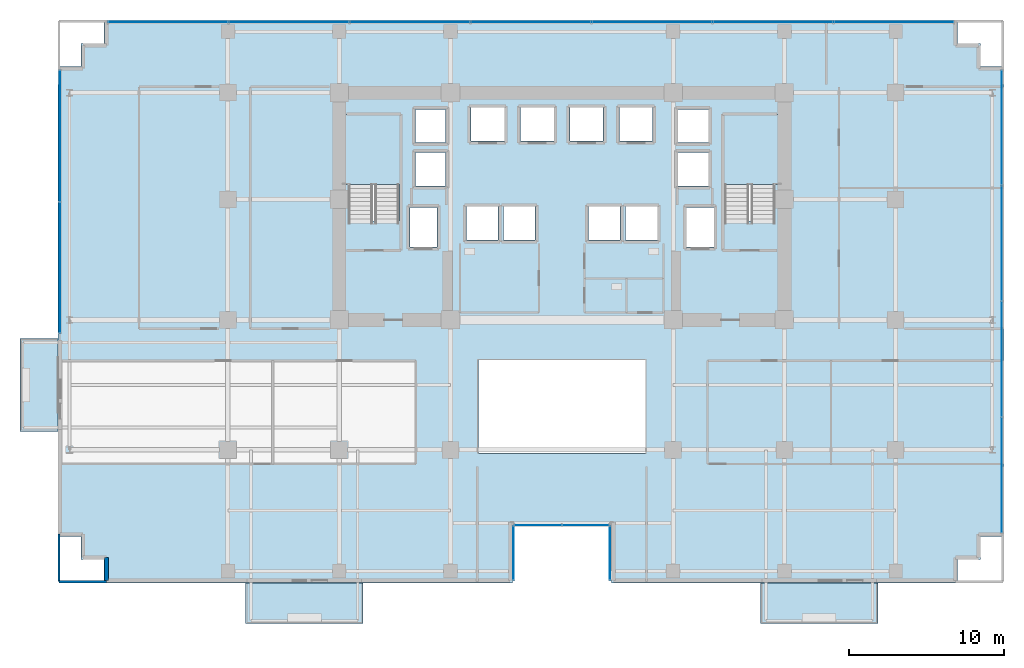
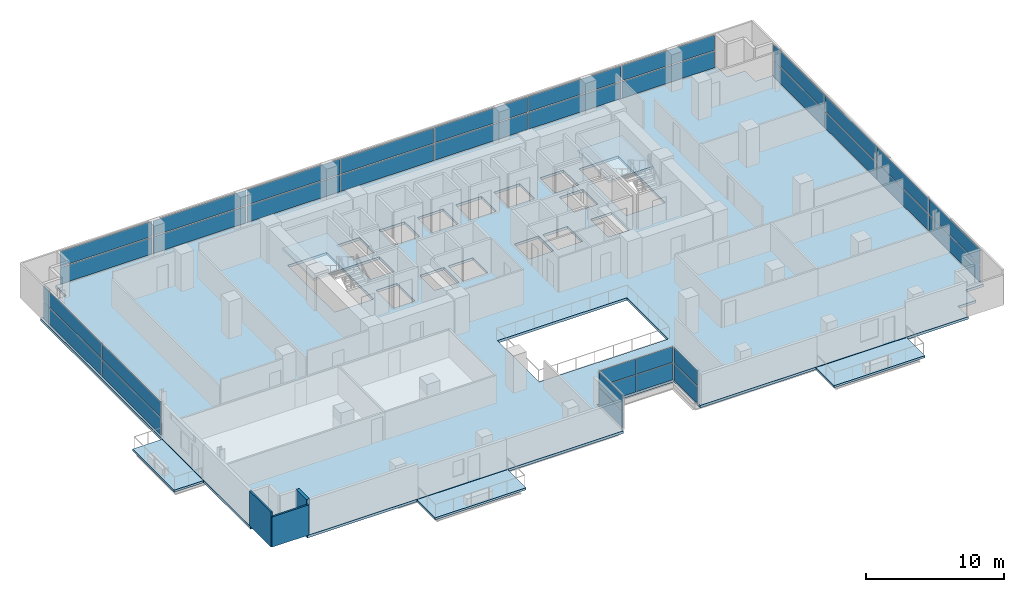
# One storey, part 22 of 30: 34 plates, 6 slabs, 3 walls, 8 elements without a shape of their own.
"""IFC4 building model written with IfcOpenShell, lengths in metres."""

from ifc_helpers import new_model, si_unit, direction, frame, frame_2d, origin, origin_2d, place, context, subcontext, project, spatial, polyline, rectangle, outline, extrude, source, transform, mapped, material, layer, layer_set, type_object, element, aggregate, save


model = new_model("IFC4")

# Units and contexts
model_context = context("Model", 3, precision=1e-05, world=origin(), true_north=direction((0.0, 1.0)))
body_context = subcontext(model_context, "Body", "Model", "MODEL_VIEW")
ifc_project = project(units=[si_unit("LENGTHUNIT", "METRE"), si_unit("AREAUNIT", "SQUARE_METRE"), si_unit("VOLUMEUNIT", "CUBIC_METRE"), si_unit("PLANEANGLEUNIT", "RADIAN"), si_unit("MASSUNIT", "GRAM", prefix="KILO")], contexts=[model_context])

# Site, building, storey
site_placement = place(None, origin())
site = spatial("IfcSite", under=ifc_project, at=site_placement, CompositionType="ELEMENT")
building_placement = place(site_placement, origin())
building = spatial("IfcBuilding", under=site, at=building_placement, Name="Zarnakvel Exchange Tower", CompositionType="ELEMENT")
storey_placement = place(building_placement, frame((0.0, 0.0, 40.60009765625)))
storey = spatial("IfcBuildingStorey", under=building, at=storey_placement, Name="L10", CompositionType="ELEMENT", Elevation=40.60009765625)

# Stair, slab
ifc_material_1 = material(Name="Concrete C40/50", Category="concrete")
stair_type = type_object("IfcStairType", Name="STR-01", PredefinedType="HALF_TURN_STAIR", material=ifc_material_1)
stair_1_placement = place(storey_placement, origin())
stair_1 = element("IfcStair", 1, at=stair_1_placement, inside=storey, type_object=stair_type, Name="L10 Protected Core Exit Stair ST-01", PredefinedType="HALF_TURN_STAIR")
ifc_layer_1 = layer(ifc_material_1, 0.199951171875)
ifc_layer_set_1 = layer_set([ifc_layer_1], Name="Concrete C40/50")
slab_type_1 = type_object("IfcSlabType", Name="LDG-01", PredefinedType="LANDING", material=ifc_layer_set_1)
slab_1_placement = place(storey_placement, frame((0.0, 0.0, 1.449951171875)))
slab_1 = element("IfcSlab", 2, at=slab_1_placement, type_object=slab_type_1, Name="ST-01 landing 1", PredefinedType="LANDING", context=body_context, shape_type="SweptSolid", body=[
    extrude(outline(polyline([(-14.18994140625, 7.570068359375), (-10.4599609375, 7.570068359375), (-10.4599609375, 12.080078125), (-14.18994140625, 12.080078125), (-14.18994140625, 7.570068359375)])), origin(), (0.0, 0.0, 1.0), 0.199951171875),
])
aggregate(stair_1, [slab_1])

stair_2_placement = place(storey_placement, origin())
stair_2 = element("IfcStair", 3, at=stair_2_placement, inside=storey, type_object=stair_type, Name="L10 Protected Core Exit Stair ST-02", PredefinedType="HALF_TURN_STAIR")
slab_2_placement = place(storey_placement, frame((0.0, 0.0, 1.449951171875)))
slab_2 = element("IfcSlab", 4, at=slab_2_placement, type_object=slab_type_1, Name="ST-02 landing 1", PredefinedType="LANDING", context=body_context, shape_type="SweptSolid", body=[
    extrude(outline(polyline([(10.4599609375, 7.570068359375), (14.18994140625, 7.570068359375), (14.18994140625, 12.080078125), (10.4599609375, 12.080078125), (10.4599609375, 7.570068359375)])), origin(), (0.0, 0.0, 1.0), 0.199951171875),
])
aggregate(stair_2, [slab_2])

# Slabs
ifc_layer_2 = layer(ifc_material_1, 0.22509765625)
ifc_layer_set_2 = layer_set([ifc_layer_2], Name="Concrete C40/50")
slab_type_2 = type_object("IfcSlabType", Name="SL-04", PredefinedType="FLOOR", material=ifc_layer_set_2)
slab_3_placement = place(storey_placement, frame((0.0, 0.0, -0.22509765625)))
element("IfcSlab", 5, at=slab_3_placement, inside=storey, type_object=slab_type_2, Name="L10 Primary Structural Floor Slab", PredefinedType="FLOOR", context=body_context, shape_type="SweptSolid", body=[
    extrude(outline(polyline([(-32.60009765625, -15.199951171875), (-31.10009765625, -15.199951171875), (-31.10009765625, -16.699951171875), (-29.60009765625, -16.699951171875), (-29.60009765625, -18.199951171875), (-3.199951171875, -18.199951171875), (-3.199951171875, -14.39990234375), (3.199951171875, -14.39990234375), (3.199951171875, -18.199951171875), (25.60009765625, -18.199951171875), (25.60009765625, -16.699951171875), (27.10009765625, -16.699951171875), (27.10009765625, -15.199951171875), (28.60009765625, -15.199951171875), (28.60009765625, 15.199951171875), (27.10009765625, 15.199951171875), (27.10009765625, 16.699951171875), (25.60009765625, 16.699951171875), (25.60009765625, 18.199951171875), (-29.60009765625, 18.199951171875), (-29.60009765625, 16.699951171875), (-31.10009765625, 16.699951171875), (-31.10009765625, 15.199951171875), (-32.60009765625, 15.199951171875), (-32.60009765625, -15.199951171875)]), holes=[polyline([(-5.39990234375, -9.800048828125), (5.39990234375, -9.800048828125), (5.39990234375, -3.800048828125), (-5.39990234375, -3.800048828125), (-5.39990234375, -9.800048828125)]), polyline([(-13.800048828125, 5.2099609375), (-10.5400390625, 5.2099609375), (-10.5400390625, 12.0), (-13.800048828125, 12.0), (-13.800048828125, 5.2099609375)]), polyline([(10.5400390625, 5.2099609375), (13.800048828125, 5.2099609375), (13.800048828125, 12.0), (10.5400390625, 12.0), (10.5400390625, 5.2099609375)]), polyline([(-9.830078125, 3.52001953125), (-8.070068359375, 3.52001953125), (-8.070068359375, 6.080078125), (-9.830078125, 6.080078125), (-9.830078125, 3.52001953125)]), polyline([(8.070068359375, 3.52001953125), (9.830078125, 3.52001953125), (9.830078125, 6.080078125), (8.070068359375, 6.080078125), (8.070068359375, 3.52001953125)]), polyline([(-5.8798828125, 10.3701171875), (-3.719970703125, 10.3701171875), (-3.719970703125, 12.530029296875), (-5.8798828125, 12.530029296875), (-5.8798828125, 10.3701171875)]), polyline([(-2.679931640625, 10.3701171875), (-0.52001953125, 10.3701171875), (-0.52001953125, 12.530029296875), (-2.679931640625, 12.530029296875), (-2.679931640625, 10.3701171875)]), polyline([(0.52001953125, 10.3701171875), (2.679931640625, 10.3701171875), (2.679931640625, 12.530029296875), (0.52001953125, 12.530029296875), (0.52001953125, 10.3701171875)]), polyline([(3.719970703125, 10.3701171875), (5.8798828125, 10.3701171875), (5.8798828125, 12.530029296875), (3.719970703125, 12.530029296875), (3.719970703125, 10.3701171875)]), polyline([(-6.179931640625, 3.969970703125), (-4.1201171875, 3.969970703125), (-4.1201171875, 6.1298828125), (-6.179931640625, 6.1298828125), (-6.179931640625, 3.969970703125)]), polyline([(-3.780029296875, 3.969970703125), (-1.719970703125, 3.969970703125), (-1.719970703125, 6.1298828125), (-3.780029296875, 6.1298828125), (-3.780029296875, 3.969970703125)]), polyline([(1.719970703125, 3.969970703125), (3.780029296875, 3.969970703125), (3.780029296875, 6.1298828125), (1.719970703125, 6.1298828125), (1.719970703125, 3.969970703125)]), polyline([(4.1201171875, 3.969970703125), (6.179931640625, 3.969970703125), (6.179931640625, 6.1298828125), (4.1201171875, 6.1298828125), (4.1201171875, 3.969970703125)]), polyline([(-9.47998046875, 7.469970703125), (-7.52001953125, 7.469970703125), (-7.52001953125, 9.6298828125), (-9.47998046875, 9.6298828125), (-9.47998046875, 7.469970703125)]), polyline([(-9.47998046875, 10.27001953125), (-7.52001953125, 10.27001953125), (-7.52001953125, 12.429931640625), (-9.47998046875, 12.429931640625), (-9.47998046875, 10.27001953125)]), polyline([(7.52001953125, 7.469970703125), (9.47998046875, 7.469970703125), (9.47998046875, 9.6298828125), (7.52001953125, 9.6298828125), (7.52001953125, 7.469970703125)]), polyline([(7.52001953125, 10.27001953125), (9.47998046875, 10.27001953125), (9.47998046875, 12.429931640625), (7.52001953125, 12.429931640625), (7.52001953125, 10.27001953125)])]), origin(), (0.0, 0.0, 1.0), 0.22509765625),
])
ifc_layer_3 = layer(ifc_material_1, 0.18994140625)
ifc_layer_set_3 = layer_set([ifc_layer_3], Name="Concrete C40/50")
slab_type_3 = type_object("IfcSlabType", Name="SL-08", PredefinedType="USERDEFINED", material=ifc_layer_set_3)
slab_4_placement = place(storey_placement, frame((0.0, 0.0, -0.22509765625)))
element("IfcSlab", 6, at=slab_4_placement, inside=storey, type_object=slab_type_3, Name="L10 Planted Loggia Balcony Slab BAL-L10-SW", ObjectType="BALCONY", PredefinedType="USERDEFINED", context=body_context, shape_type="SweptSolid", body=[
    extrude(outline(polyline([(-20.449951171875, -20.85009765625), (-12.85009765625, -20.85009765625), (-12.85009765625, -18.199951171875), (-20.449951171875, -18.199951171875), (-20.449951171875, -20.85009765625)])), origin(), (0.0, 0.0, 1.0), 0.18994140625),
])
slab_5_placement = place(storey_placement, frame((0.0, 0.0, -0.22509765625)))
element("IfcSlab", 7, at=slab_5_placement, inside=storey, type_object=slab_type_3, Name="L10 Planted Loggia Balcony Slab BAL-L10-SE", ObjectType="BALCONY", PredefinedType="USERDEFINED", context=body_context, shape_type="SweptSolid", body=[
    extrude(outline(polyline([(12.85009765625, -20.85009765625), (20.449951171875, -20.85009765625), (20.449951171875, -18.199951171875), (12.85009765625, -18.199951171875), (12.85009765625, -20.85009765625)])), origin(), (0.0, 0.0, 1.0), 0.18994140625),
])
slab_6_placement = place(storey_placement, frame((0.0, 0.0, -0.22509765625)))
element("IfcSlab", 8, at=slab_6_placement, inside=storey, type_object=slab_type_3, Name="L10 Planted Loggia Balcony Slab BAL-L10-W", ObjectType="BALCONY", PredefinedType="USERDEFINED", context=body_context, shape_type="SweptSolid", body=[
    extrude(outline(polyline([(-35.050048828125, -8.39990234375), (-32.60009765625, -8.39990234375), (-32.60009765625, -2.39990234375), (-35.050048828125, -2.39990234375), (-35.050048828125, -8.39990234375)])), origin(), (0.0, 0.0, 1.0), 0.18994140625),
])

# Curtain wall, plate
ifc_material_2 = material(Name="Architectural Bronze Anodised Aluminium", Category="aluminium")
ifc_layer_4 = layer(ifc_material_2, 0.179931640625)
ifc_layer_set_4 = layer_set([ifc_layer_4], Name="Architectural Bronze Anodised Aluminium")
curtain_wall_type_1 = type_object("IfcCurtainWallType", Name="CW-05", PredefinedType="NOTDEFINED", material=ifc_layer_set_4)
curtain_wall_1_placement = place(storey_placement, origin())
curtain_wall_1 = element("IfcCurtainWall", 9, at=curtain_wall_1_placement, inside=storey, type_object=curtain_wall_type_1, Name="L10 Curtain Wall CW-L10-SLW (CW-05)", PredefinedType="NOTDEFINED")
ifc_material_3 = material(Name="Double Low-E Laminated Vision Glass", Category="glass")
ifc_layer_5 = layer(ifc_material_3, 0.02587890625)
ifc_layer_set_5 = layer_set([ifc_layer_5], Name="Double Low-E Laminated Vision Glass")
plate_type_1 = type_object("IfcPlateType", Name="CWP-05", PredefinedType="CURTAIN_PANEL", material=ifc_layer_set_5)
shared_shape_1 = source(origin(), body_context, "Body", "SweptSolid", [
    extrude(rectangle(XDim=3.4599609375, YDim=0.02587890625, at=origin_2d()), origin(), (0.0, 0.0, 1.0), 1.483642578125),
])
plate_1_placement = place(storey_placement, frame((-3.1201171875, -16.280029296875, 0.06982421875), z_axis=(0.0, 0.0, 1.0), x_axis=(0.0, 1.0, 0.0)))
plate_1 = element("IfcPlate", 10, at=plate_1_placement, type_object=plate_type_1, Name="CW-05 panel 1.1", PredefinedType="CURTAIN_PANEL", context=body_context, shape_type="MappedRepresentation", body=[
    mapped(shared_shape_1, transform((0.0, 0.0, 0.0), x_axis=(1.0, 0.0, 0.0), y_axis=(0.0, 1.0, 0.0), z_axis=(0.0, 0.0, 1.0), scale=1.0)),
])

curtain_wall_2_placement = place(storey_placement, origin())
curtain_wall_2 = element("IfcCurtainWall", 11, at=curtain_wall_2_placement, inside=storey, type_object=curtain_wall_type_1, Name="L10 Curtain Wall CW-L10-SLE (CW-05)", PredefinedType="NOTDEFINED")
plate_2_placement = place(storey_placement, frame((3.1201171875, -16.280029296875, 0.06982421875), z_axis=(0.0, 0.0, 1.0), x_axis=(0.0, -1.0, 0.0)))
plate_2 = element("IfcPlate", 12, at=plate_2_placement, type_object=plate_type_1, Name="CW-05 panel 1.1", PredefinedType="CURTAIN_PANEL", context=body_context, shape_type="MappedRepresentation", body=[
    mapped(shared_shape_1, transform((0.0, 0.0, 0.0), x_axis=(1.0, 0.0, 0.0), y_axis=(0.0, 1.0, 0.0), z_axis=(0.0, 0.0, 1.0), scale=1.0)),
])

# Plate
shared_shape_2 = source(origin(), body_context, "Body", "SweptSolid", [
    extrude(rectangle(XDim=3.4599609375, YDim=0.02587890625, at=origin_2d()), origin(), (0.0, 0.0, 1.0), 1.361328125),
])
plate_3_placement = place(storey_placement, frame((-3.1201171875, -16.280029296875, 1.62353515625), z_axis=(0.0, 0.0, 1.0), x_axis=(0.0, 1.0, 0.0)))
plate_3 = element("IfcPlate", 13, at=plate_3_placement, type_object=plate_type_1, Name="CW-05 panel 1.2", PredefinedType="CURTAIN_PANEL", context=body_context, shape_type="MappedRepresentation", body=[
    mapped(shared_shape_2, transform((0.0, 0.0, 0.0), x_axis=(1.0, 0.0, 0.0), y_axis=(0.0, 1.0, 0.0), z_axis=(0.0, 0.0, 1.0), scale=1.0)),
])

aggregate(curtain_wall_1, [plate_1, plate_3])

plate_4_placement = place(storey_placement, frame((3.1201171875, -16.280029296875, 1.62353515625), z_axis=(0.0, 0.0, 1.0), x_axis=(0.0, -1.0, 0.0)))
plate_4 = element("IfcPlate", 14, at=plate_4_placement, type_object=plate_type_1, Name="CW-05 panel 1.2", PredefinedType="CURTAIN_PANEL", context=body_context, shape_type="MappedRepresentation", body=[
    mapped(shared_shape_2, transform((0.0, 0.0, 0.0), x_axis=(1.0, 0.0, 0.0), y_axis=(0.0, 1.0, 0.0), z_axis=(0.0, 0.0, 1.0), scale=1.0)),
])

aggregate(curtain_wall_2, [plate_2, plate_4])

# Curtain wall, plates
curtain_wall_3_placement = place(storey_placement, origin())
curtain_wall_3 = element("IfcCurtainWall", 15, at=curtain_wall_3_placement, inside=storey, type_object=curtain_wall_type_1, Name="L10 Curtain Wall CW-L10-SLB (CW-05)", PredefinedType="NOTDEFINED")
shared_shape_3 = source(origin(), body_context, "Body", "SweptSolid", [
    extrude(rectangle(XDim=3.014892578125, YDim=0.02587890625, at=origin_2d()), origin(), (0.0, 0.0, 1.0), 1.483642578125),
])
plate_5_placement = place(storey_placement, frame((-1.54248046875, -14.47998046875, 0.06982421875), z_axis=(0.0, 0.0, 1.0), x_axis=(1.0, 0.0, 0.0)))
plate_5 = element("IfcPlate", 16, at=plate_5_placement, type_object=plate_type_1, Name="CW-05 panel 1.1", PredefinedType="CURTAIN_PANEL", context=body_context, shape_type="MappedRepresentation", body=[
    mapped(shared_shape_3, transform((0.0, 0.0, 0.0), x_axis=(1.0, 0.0, 0.0), y_axis=(0.0, 1.0, 0.0), z_axis=(0.0, 0.0, 1.0), scale=1.0)),
])
plate_6_placement = place(storey_placement, frame((1.54248046875, -14.47998046875, 0.06982421875), z_axis=(0.0, 0.0, 1.0), x_axis=(1.0, 0.0, 0.0)))
plate_6 = element("IfcPlate", 17, at=plate_6_placement, type_object=plate_type_1, Name="CW-05 panel 2.1", PredefinedType="CURTAIN_PANEL", context=body_context, shape_type="MappedRepresentation", body=[
    mapped(shared_shape_3, transform((0.0, 0.0, 0.0), x_axis=(1.0, 0.0, 0.0), y_axis=(0.0, 1.0, 0.0), z_axis=(0.0, 0.0, 1.0), scale=1.0)),
])
shared_shape_4 = source(origin(), body_context, "Body", "SweptSolid", [
    extrude(rectangle(XDim=3.014892578125, YDim=0.02587890625, at=origin_2d()), origin(), (0.0, 0.0, 1.0), 1.361328125),
])
plate_7_placement = place(storey_placement, frame((-1.54248046875, -14.47998046875, 1.62353515625), z_axis=(0.0, 0.0, 1.0), x_axis=(1.0, 0.0, 0.0)))
plate_7 = element("IfcPlate", 18, at=plate_7_placement, type_object=plate_type_1, Name="CW-05 panel 1.2", PredefinedType="CURTAIN_PANEL", context=body_context, shape_type="MappedRepresentation", body=[
    mapped(shared_shape_4, transform((0.0, 0.0, 0.0), x_axis=(1.0, 0.0, 0.0), y_axis=(0.0, 1.0, 0.0), z_axis=(0.0, 0.0, 1.0), scale=1.0)),
])
plate_8_placement = place(storey_placement, frame((1.54248046875, -14.47998046875, 1.62353515625), z_axis=(0.0, 0.0, 1.0), x_axis=(1.0, 0.0, 0.0)))
plate_8 = element("IfcPlate", 19, at=plate_8_placement, type_object=plate_type_1, Name="CW-05 panel 2.2", PredefinedType="CURTAIN_PANEL", context=body_context, shape_type="MappedRepresentation", body=[
    mapped(shared_shape_4, transform((0.0, 0.0, 0.0), x_axis=(1.0, 0.0, 0.0), y_axis=(0.0, 1.0, 0.0), z_axis=(0.0, 0.0, 1.0), scale=1.0)),
])
aggregate(curtain_wall_3, [plate_5, plate_7, plate_6, plate_8])

ifc_layer_6 = layer(ifc_material_2, 0.239990234375)
ifc_layer_set_6 = layer_set([ifc_layer_6], Name="Architectural Bronze Anodised Aluminium")
curtain_wall_type_2 = type_object("IfcCurtainWallType", Name="CW-02", PredefinedType="NOTDEFINED", material=ifc_layer_set_6)
curtain_wall_4_placement = place(storey_placement, origin())
curtain_wall_4 = element("IfcCurtainWall", 20, at=curtain_wall_4_placement, inside=storey, type_object=curtain_wall_type_2, Name="L10 Curtain Wall CW-L10-N1 (CW-02)", PredefinedType="NOTDEFINED")
ifc_layer_7 = layer(ifc_material_3, 0.031982421875)
ifc_layer_set_7 = layer_set([ifc_layer_7], Name="Double Low-E Laminated Vision Glass")
plate_type_2 = type_object("IfcPlateType", Name="CWP-02", PredefinedType="CURTAIN_PANEL", material=ifc_layer_set_7)
shared_shape_5 = source(origin(), body_context, "Body", "SweptSolid", [
    extrude(rectangle(XDim=7.693603515625, YDim=0.031982421875, at=origin_2d()), origin(), (0.0, 0.0, 1.0), 1.461181640625),
])
plate_9_placement = place(storey_placement, frame((-25.463134765625, 18.06005859375, 0.0849609375), z_axis=(0.0, 0.0, 1.0), x_axis=(1.0, 0.0, 0.0)))
plate_9 = element("IfcPlate", 21, at=plate_9_placement, type_object=plate_type_2, Name="CW-02 panel 1.1", PredefinedType="CURTAIN_PANEL", context=body_context, shape_type="MappedRepresentation", body=[
    mapped(shared_shape_5, transform((0.0, 0.0, 0.0), x_axis=(1.0, 0.0, 0.0), y_axis=(0.0, 1.0, 0.0), z_axis=(0.0, 0.0, 1.0), scale=1.0)),
])
plate_10_placement = place(storey_placement, frame((21.463134765625, 18.06005859375, 0.0849609375), z_axis=(0.0, 0.0, 1.0), x_axis=(1.0, 0.0, 0.0)))
plate_10 = element("IfcPlate", 22, at=plate_10_placement, type_object=plate_type_2, Name="CW-02 panel 7.1", PredefinedType="CURTAIN_PANEL", context=body_context, shape_type="MappedRepresentation", body=[
    mapped(shared_shape_5, transform((0.0, 0.0, 0.0), x_axis=(1.0, 0.0, 0.0), y_axis=(0.0, 1.0, 0.0), z_axis=(0.0, 0.0, 1.0), scale=1.0)),
])
shared_shape_6 = source(origin(), body_context, "Body", "SweptSolid", [
    extrude(rectangle(XDim=7.693603515625, YDim=0.031982421875, at=origin_2d()), origin(), (0.0, 0.0, 1.0), 1.3388671875),
])
plate_11_placement = place(storey_placement, frame((-25.463134765625, 18.06005859375, 1.631103515625), z_axis=(0.0, 0.0, 1.0), x_axis=(1.0, 0.0, 0.0)))
plate_11 = element("IfcPlate", 23, at=plate_11_placement, type_object=plate_type_2, Name="CW-02 panel 1.2", PredefinedType="CURTAIN_PANEL", context=body_context, shape_type="MappedRepresentation", body=[
    mapped(shared_shape_6, transform((0.0, 0.0, 0.0), x_axis=(1.0, 0.0, 0.0), y_axis=(0.0, 1.0, 0.0), z_axis=(0.0, 0.0, 1.0), scale=1.0)),
])
plate_12_placement = place(storey_placement, frame((21.463134765625, 18.06005859375, 1.631103515625), z_axis=(0.0, 0.0, 1.0), x_axis=(1.0, 0.0, 0.0)))
plate_12 = element("IfcPlate", 24, at=plate_12_placement, type_object=plate_type_2, Name="CW-02 panel 7.2", PredefinedType="CURTAIN_PANEL", context=body_context, shape_type="MappedRepresentation", body=[
    mapped(shared_shape_6, transform((0.0, 0.0, 0.0), x_axis=(1.0, 0.0, 0.0), y_axis=(0.0, 1.0, 0.0), z_axis=(0.0, 0.0, 1.0), scale=1.0)),
])
shared_shape_7 = source(origin(), body_context, "Body", "SweptSolid", [
    extrude(rectangle(XDim=7.738525390625, YDim=0.031982421875, at=origin_2d()), origin(), (0.0, 0.0, 1.0), 1.461181640625),
])
plate_13_placement = place(storey_placement, frame((-17.6572265625, 18.06005859375, 0.0849609375), z_axis=(0.0, 0.0, 1.0), x_axis=(1.0, 0.0, 0.0)))
plate_13 = element("IfcPlate", 25, at=plate_13_placement, type_object=plate_type_2, Name="CW-02 panel 2.1", PredefinedType="CURTAIN_PANEL", context=body_context, shape_type="MappedRepresentation", body=[
    mapped(shared_shape_7, transform((0.0, 0.0, 0.0), x_axis=(1.0, 0.0, 0.0), y_axis=(0.0, 1.0, 0.0), z_axis=(0.0, 0.0, 1.0), scale=1.0)),
])
plate_14_placement = place(storey_placement, frame((-9.82861328125, 18.06005859375, 0.0849609375), z_axis=(0.0, 0.0, 1.0), x_axis=(1.0, 0.0, 0.0)))
plate_14 = element("IfcPlate", 26, at=plate_14_placement, type_object=plate_type_2, Name="CW-02 panel 3.1", PredefinedType="CURTAIN_PANEL", context=body_context, shape_type="MappedRepresentation", body=[
    mapped(shared_shape_7, transform((0.0, 0.0, 0.0), x_axis=(1.0, 0.0, 0.0), y_axis=(0.0, 1.0, 0.0), z_axis=(0.0, 0.0, 1.0), scale=1.0)),
])
plate_15_placement = place(storey_placement, frame((-2.0, 18.06005859375, 0.0849609375), z_axis=(0.0, 0.0, 1.0), x_axis=(1.0, 0.0, 0.0)))
plate_15 = element("IfcPlate", 27, at=plate_15_placement, type_object=plate_type_2, Name="CW-02 panel 4.1", PredefinedType="CURTAIN_PANEL", context=body_context, shape_type="MappedRepresentation", body=[
    mapped(shared_shape_7, transform((0.0, 0.0, 0.0), x_axis=(1.0, 0.0, 0.0), y_axis=(0.0, 1.0, 0.0), z_axis=(0.0, 0.0, 1.0), scale=1.0)),
])
plate_16_placement = place(storey_placement, frame((5.82861328125, 18.06005859375, 0.0849609375), z_axis=(0.0, 0.0, 1.0), x_axis=(1.0, 0.0, 0.0)))
plate_16 = element("IfcPlate", 28, at=plate_16_placement, type_object=plate_type_2, Name="CW-02 panel 5.1", PredefinedType="CURTAIN_PANEL", context=body_context, shape_type="MappedRepresentation", body=[
    mapped(shared_shape_7, transform((0.0, 0.0, 0.0), x_axis=(1.0, 0.0, 0.0), y_axis=(0.0, 1.0, 0.0), z_axis=(0.0, 0.0, 1.0), scale=1.0)),
])
plate_17_placement = place(storey_placement, frame((13.6572265625, 18.06005859375, 0.0849609375), z_axis=(0.0, 0.0, 1.0), x_axis=(1.0, 0.0, 0.0)))
plate_17 = element("IfcPlate", 29, at=plate_17_placement, type_object=plate_type_2, Name="CW-02 panel 6.1", PredefinedType="CURTAIN_PANEL", context=body_context, shape_type="MappedRepresentation", body=[
    mapped(shared_shape_7, transform((0.0, 0.0, 0.0), x_axis=(1.0, 0.0, 0.0), y_axis=(0.0, 1.0, 0.0), z_axis=(0.0, 0.0, 1.0), scale=1.0)),
])
shared_shape_8 = source(origin(), body_context, "Body", "SweptSolid", [
    extrude(rectangle(XDim=7.738525390625, YDim=0.031982421875, at=origin_2d()), origin(), (0.0, 0.0, 1.0), 1.3388671875),
])
plate_18_placement = place(storey_placement, frame((-17.6572265625, 18.06005859375, 1.631103515625), z_axis=(0.0, 0.0, 1.0), x_axis=(1.0, 0.0, 0.0)))
plate_18 = element("IfcPlate", 30, at=plate_18_placement, type_object=plate_type_2, Name="CW-02 panel 2.2", PredefinedType="CURTAIN_PANEL", context=body_context, shape_type="MappedRepresentation", body=[
    mapped(shared_shape_8, transform((0.0, 0.0, 0.0), x_axis=(1.0, 0.0, 0.0), y_axis=(0.0, 1.0, 0.0), z_axis=(0.0, 0.0, 1.0), scale=1.0)),
])
plate_19_placement = place(storey_placement, frame((-9.82861328125, 18.06005859375, 1.631103515625), z_axis=(0.0, 0.0, 1.0), x_axis=(1.0, 0.0, 0.0)))
plate_19 = element("IfcPlate", 31, at=plate_19_placement, type_object=plate_type_2, Name="CW-02 panel 3.2", PredefinedType="CURTAIN_PANEL", context=body_context, shape_type="MappedRepresentation", body=[
    mapped(shared_shape_8, transform((0.0, 0.0, 0.0), x_axis=(1.0, 0.0, 0.0), y_axis=(0.0, 1.0, 0.0), z_axis=(0.0, 0.0, 1.0), scale=1.0)),
])
plate_20_placement = place(storey_placement, frame((-2.0, 18.06005859375, 1.631103515625), z_axis=(0.0, 0.0, 1.0), x_axis=(1.0, 0.0, 0.0)))
plate_20 = element("IfcPlate", 32, at=plate_20_placement, type_object=plate_type_2, Name="CW-02 panel 4.2", PredefinedType="CURTAIN_PANEL", context=body_context, shape_type="MappedRepresentation", body=[
    mapped(shared_shape_8, transform((0.0, 0.0, 0.0), x_axis=(1.0, 0.0, 0.0), y_axis=(0.0, 1.0, 0.0), z_axis=(0.0, 0.0, 1.0), scale=1.0)),
])
plate_21_placement = place(storey_placement, frame((5.82861328125, 18.06005859375, 1.631103515625), z_axis=(0.0, 0.0, 1.0), x_axis=(1.0, 0.0, 0.0)))
plate_21 = element("IfcPlate", 33, at=plate_21_placement, type_object=plate_type_2, Name="CW-02 panel 5.2", PredefinedType="CURTAIN_PANEL", context=body_context, shape_type="MappedRepresentation", body=[
    mapped(shared_shape_8, transform((0.0, 0.0, 0.0), x_axis=(1.0, 0.0, 0.0), y_axis=(0.0, 1.0, 0.0), z_axis=(0.0, 0.0, 1.0), scale=1.0)),
])
plate_22_placement = place(storey_placement, frame((13.6572265625, 18.06005859375, 1.631103515625), z_axis=(0.0, 0.0, 1.0), x_axis=(1.0, 0.0, 0.0)))
plate_22 = element("IfcPlate", 34, at=plate_22_placement, type_object=plate_type_2, Name="CW-02 panel 6.2", PredefinedType="CURTAIN_PANEL", context=body_context, shape_type="MappedRepresentation", body=[
    mapped(shared_shape_8, transform((0.0, 0.0, 0.0), x_axis=(1.0, 0.0, 0.0), y_axis=(0.0, 1.0, 0.0), z_axis=(0.0, 0.0, 1.0), scale=1.0)),
])
aggregate(curtain_wall_4, [plate_9, plate_11, plate_13, plate_18, plate_14, plate_19, plate_15, plate_20, plate_16, plate_21, plate_17, plate_22, plate_10, plate_12])

ifc_layer_8 = layer(ifc_material_2, 0.199951171875)
ifc_layer_set_8 = layer_set([ifc_layer_8], Name="Architectural Bronze Anodised Aluminium")
curtain_wall_type_3 = type_object("IfcCurtainWallType", Name="CW-04", PredefinedType="NOTDEFINED", material=ifc_layer_set_8)
curtain_wall_5_placement = place(storey_placement, origin())
curtain_wall_5 = element("IfcCurtainWall", 35, at=curtain_wall_5_placement, inside=storey, type_object=curtain_wall_type_3, Name="L10 Curtain Wall CW-L10-WN (CW-04)", PredefinedType="NOTDEFINED")
ifc_layer_9 = layer(ifc_material_3, 0.028076171875)
ifc_layer_set_9 = layer_set([ifc_layer_9], Name="Double Low-E Laminated Vision Glass")
plate_type_3 = type_object("IfcPlateType", Name="CWP-04", PredefinedType="CURTAIN_PANEL", material=ifc_layer_set_9)
shared_shape_9 = source(origin(), body_context, "Body", "SweptSolid", [
    extrude(rectangle(XDim=8.4375, YDim=0.028076171875, at=origin_2d()), origin(), (0.0, 0.0, 1.0), 1.47607421875),
])
plate_23_placement = place(storey_placement, frame((-32.4599609375, 2.19384765625, 0.074951171875), z_axis=(0.0, 0.0, 1.0), x_axis=(0.0, 1.0, 0.0)))
plate_23 = element("IfcPlate", 36, at=plate_23_placement, type_object=plate_type_3, Name="CW-04 panel 1.1", PredefinedType="CURTAIN_PANEL", context=body_context, shape_type="MappedRepresentation", body=[
    mapped(shared_shape_9, transform((0.0, 0.0, 0.0), x_axis=(1.0, 0.0, 0.0), y_axis=(0.0, 1.0, 0.0), z_axis=(0.0, 0.0, 1.0), scale=1.0)),
])
plate_24_placement = place(storey_placement, frame((-32.4599609375, 10.706298828125, 0.074951171875), z_axis=(0.0, 0.0, 1.0), x_axis=(0.0, 1.0, 0.0)))
plate_24 = element("IfcPlate", 37, at=plate_24_placement, type_object=plate_type_3, Name="CW-04 panel 2.1", PredefinedType="CURTAIN_PANEL", context=body_context, shape_type="MappedRepresentation", body=[
    mapped(shared_shape_9, transform((0.0, 0.0, 0.0), x_axis=(1.0, 0.0, 0.0), y_axis=(0.0, 1.0, 0.0), z_axis=(0.0, 0.0, 1.0), scale=1.0)),
])
shared_shape_10 = source(origin(), body_context, "Body", "SweptSolid", [
    extrude(rectangle(XDim=8.4375, YDim=0.028076171875, at=origin_2d()), origin(), (0.0, 0.0, 1.0), 1.35400390625),
])
plate_25_placement = place(storey_placement, frame((-32.4599609375, 2.19384765625, 1.6259765625), z_axis=(0.0, 0.0, 1.0), x_axis=(0.0, 1.0, 0.0)))
plate_25 = element("IfcPlate", 38, at=plate_25_placement, type_object=plate_type_3, Name="CW-04 panel 1.2", PredefinedType="CURTAIN_PANEL", context=body_context, shape_type="MappedRepresentation", body=[
    mapped(shared_shape_10, transform((0.0, 0.0, 0.0), x_axis=(1.0, 0.0, 0.0), y_axis=(0.0, 1.0, 0.0), z_axis=(0.0, 0.0, 1.0), scale=1.0)),
])
plate_26_placement = place(storey_placement, frame((-32.4599609375, 10.706298828125, 1.6259765625), z_axis=(0.0, 0.0, 1.0), x_axis=(0.0, 1.0, 0.0)))
plate_26 = element("IfcPlate", 39, at=plate_26_placement, type_object=plate_type_3, Name="CW-04 panel 2.2", PredefinedType="CURTAIN_PANEL", context=body_context, shape_type="MappedRepresentation", body=[
    mapped(shared_shape_10, transform((0.0, 0.0, 0.0), x_axis=(1.0, 0.0, 0.0), y_axis=(0.0, 1.0, 0.0), z_axis=(0.0, 0.0, 1.0), scale=1.0)),
])
aggregate(curtain_wall_5, [plate_23, plate_25, plate_24, plate_26])

curtain_wall_6_placement = place(storey_placement, origin())
curtain_wall_6 = element("IfcCurtainWall", 40, at=curtain_wall_6_placement, inside=storey, type_object=curtain_wall_type_3, Name="L10 Curtain Wall CW-L10-E1 (CW-04)", PredefinedType="NOTDEFINED")
shared_shape_11 = source(origin(), body_context, "Body", "SweptSolid", [
    extrude(rectangle(XDim=7.387451171875, YDim=0.028076171875, at=origin_2d()), origin(), (0.0, 0.0, 1.0), 1.47607421875),
])
plate_27_placement = place(storey_placement, frame((28.4599609375, -11.231201171875, 0.074951171875), z_axis=(0.0, 0.0, 1.0), x_axis=(0.0, 1.0, 0.0)))
plate_27 = element("IfcPlate", 41, at=plate_27_placement, type_object=plate_type_3, Name="CW-04 panel 1.1", PredefinedType="CURTAIN_PANEL", context=body_context, shape_type="MappedRepresentation", body=[
    mapped(shared_shape_11, transform((0.0, 0.0, 0.0), x_axis=(1.0, 0.0, 0.0), y_axis=(0.0, 1.0, 0.0), z_axis=(0.0, 0.0, 1.0), scale=1.0)),
])
plate_28_placement = place(storey_placement, frame((28.4599609375, 11.231201171875, 0.074951171875), z_axis=(0.0, 0.0, 1.0), x_axis=(0.0, 1.0, 0.0)))
plate_28 = element("IfcPlate", 42, at=plate_28_placement, type_object=plate_type_3, Name="CW-04 panel 4.1", PredefinedType="CURTAIN_PANEL", context=body_context, shape_type="MappedRepresentation", body=[
    mapped(shared_shape_11, transform((0.0, 0.0, 0.0), x_axis=(1.0, 0.0, 0.0), y_axis=(0.0, 1.0, 0.0), z_axis=(0.0, 0.0, 1.0), scale=1.0)),
])
shared_shape_12 = source(origin(), body_context, "Body", "SweptSolid", [
    extrude(rectangle(XDim=7.387451171875, YDim=0.028076171875, at=origin_2d()), origin(), (0.0, 0.0, 1.0), 1.35400390625),
])
plate_29_placement = place(storey_placement, frame((28.4599609375, -11.231201171875, 1.6259765625), z_axis=(0.0, 0.0, 1.0), x_axis=(0.0, 1.0, 0.0)))
plate_29 = element("IfcPlate", 43, at=plate_29_placement, type_object=plate_type_3, Name="CW-04 panel 1.2", PredefinedType="CURTAIN_PANEL", context=body_context, shape_type="MappedRepresentation", body=[
    mapped(shared_shape_12, transform((0.0, 0.0, 0.0), x_axis=(1.0, 0.0, 0.0), y_axis=(0.0, 1.0, 0.0), z_axis=(0.0, 0.0, 1.0), scale=1.0)),
])
plate_30_placement = place(storey_placement, frame((28.4599609375, 11.231201171875, 1.6259765625), z_axis=(0.0, 0.0, 1.0), x_axis=(0.0, 1.0, 0.0)))
plate_30 = element("IfcPlate", 44, at=plate_30_placement, type_object=plate_type_3, Name="CW-04 panel 4.2", PredefinedType="CURTAIN_PANEL", context=body_context, shape_type="MappedRepresentation", body=[
    mapped(shared_shape_12, transform((0.0, 0.0, 0.0), x_axis=(1.0, 0.0, 0.0), y_axis=(0.0, 1.0, 0.0), z_axis=(0.0, 0.0, 1.0), scale=1.0)),
])
shared_shape_13 = source(origin(), body_context, "Body", "SweptSolid", [
    extrude(rectangle(XDim=7.425048828125, YDim=0.028076171875, at=origin_2d()), origin(), (0.0, 0.0, 1.0), 1.47607421875),
])
plate_31_placement = place(storey_placement, frame((28.4599609375, -3.75, 0.074951171875), z_axis=(0.0, 0.0, 1.0), x_axis=(0.0, 1.0, 0.0)))
plate_31 = element("IfcPlate", 45, at=plate_31_placement, type_object=plate_type_3, Name="CW-04 panel 2.1", PredefinedType="CURTAIN_PANEL", context=body_context, shape_type="MappedRepresentation", body=[
    mapped(shared_shape_13, transform((0.0, 0.0, 0.0), x_axis=(1.0, 0.0, 0.0), y_axis=(0.0, 1.0, 0.0), z_axis=(0.0, 0.0, 1.0), scale=1.0)),
])
plate_32_placement = place(storey_placement, frame((28.4599609375, 3.75, 0.074951171875), z_axis=(0.0, 0.0, 1.0), x_axis=(0.0, 1.0, 0.0)))
plate_32 = element("IfcPlate", 46, at=plate_32_placement, type_object=plate_type_3, Name="CW-04 panel 3.1", PredefinedType="CURTAIN_PANEL", context=body_context, shape_type="MappedRepresentation", body=[
    mapped(shared_shape_13, transform((0.0, 0.0, 0.0), x_axis=(1.0, 0.0, 0.0), y_axis=(0.0, 1.0, 0.0), z_axis=(0.0, 0.0, 1.0), scale=1.0)),
])
shared_shape_14 = source(origin(), body_context, "Body", "SweptSolid", [
    extrude(rectangle(XDim=7.425048828125, YDim=0.028076171875, at=origin_2d()), origin(), (0.0, 0.0, 1.0), 1.35400390625),
])
plate_33_placement = place(storey_placement, frame((28.4599609375, -3.75, 1.6259765625), z_axis=(0.0, 0.0, 1.0), x_axis=(0.0, 1.0, 0.0)))
plate_33 = element("IfcPlate", 47, at=plate_33_placement, type_object=plate_type_3, Name="CW-04 panel 2.2", PredefinedType="CURTAIN_PANEL", context=body_context, shape_type="MappedRepresentation", body=[
    mapped(shared_shape_14, transform((0.0, 0.0, 0.0), x_axis=(1.0, 0.0, 0.0), y_axis=(0.0, 1.0, 0.0), z_axis=(0.0, 0.0, 1.0), scale=1.0)),
])
plate_34_placement = place(storey_placement, frame((28.4599609375, 3.75, 1.6259765625), z_axis=(0.0, 0.0, 1.0), x_axis=(0.0, 1.0, 0.0)))
plate_34 = element("IfcPlate", 48, at=plate_34_placement, type_object=plate_type_3, Name="CW-04 panel 3.2", PredefinedType="CURTAIN_PANEL", context=body_context, shape_type="MappedRepresentation", body=[
    mapped(shared_shape_14, transform((0.0, 0.0, 0.0), x_axis=(1.0, 0.0, 0.0), y_axis=(0.0, 1.0, 0.0), z_axis=(0.0, 0.0, 1.0), scale=1.0)),
])
aggregate(curtain_wall_6, [plate_27, plate_29, plate_31, plate_33, plate_32, plate_34, plate_28, plate_30])

# Walls
ifc_material_4 = material(Name="Precast concrete C40/50", Category="concrete")
ifc_layer_10 = layer(ifc_material_4, 0.239990234375)
ifc_layer_set_10 = layer_set([ifc_layer_10], Name="Precast concrete C40/50")
wall_type_1 = type_object("IfcWallType", Name="EW-02", PredefinedType="SOLIDWALL", material=ifc_layer_set_10)
wall_1_placement = place(storey_placement, frame((-29.4599609375, -16.56005859375, 0.0), z_axis=(0.0, 0.0, 1.0), x_axis=(0.0, -1.0, 0.0)))
element("IfcWall", 49, at=wall_1_placement, inside=storey, type_object=wall_type_1, Name="L10 Exterior Precast Spandrel Wall EWC-L10-23 (EW-02)", PredefinedType="SOLIDWALL", context=body_context, shape_type="SweptSolid", body=[
    extrude(rectangle(XDim=1.5, YDim=0.239990234375, at=frame_2d((0.75, 0.0))), origin(), (0.0, 0.0, 1.0), 3.074951171875),
])
ifc_material_5 = material(Name="Fire-Rated Gypsum Stud Partition", Category="gypsum")
ifc_layer_11 = layer(ifc_material_5, 0.14990234375)
ifc_layer_set_11 = layer_set([ifc_layer_11], Name="Fire-Rated Gypsum Stud Partition")
wall_type_2 = type_object("IfcWallType", Name="PT-01", PredefinedType="PARTITIONING", material=ifc_layer_set_11)
wall_2_placement = place(storey_placement, frame((-29.4599609375, -18.1298828125, 0.0), z_axis=(0.0, 0.0, 1.0), x_axis=(-1.0, 0.0, 0.0)))
element("IfcWall", 50, at=wall_2_placement, inside=storey, type_object=wall_type_2, Name="L10 Partition Wall PWALL-L10-029 (PT-01)", PredefinedType="PARTITIONING", context=body_context, shape_type="SweptSolid", body=[
    extrude(rectangle(XDim=3.070068359375, YDim=0.14990234375, at=frame_2d((1.53515625, 0.0))), origin(), (0.0, 0.0, 1.0), 2.664794921875),
])
wall_3_placement = place(storey_placement, frame((-32.530029296875, -18.1298828125, 0.0), z_axis=(0.0, 0.0, 1.0), x_axis=(0.0, 1.0, 0.0)))
element("IfcWall", 51, at=wall_3_placement, inside=storey, type_object=wall_type_2, Name="L10 Partition Wall PWALL-L10-030 (PT-01)", PredefinedType="PARTITIONING", context=body_context, shape_type="SweptSolid", body=[
    extrude(rectangle(XDim=3.06982421875, YDim=0.14990234375, at=frame_2d((1.534912109375, 0.0))), origin(), (0.0, 0.0, 1.0), 3.074951171875),
])

save(model, "model.ifc")
